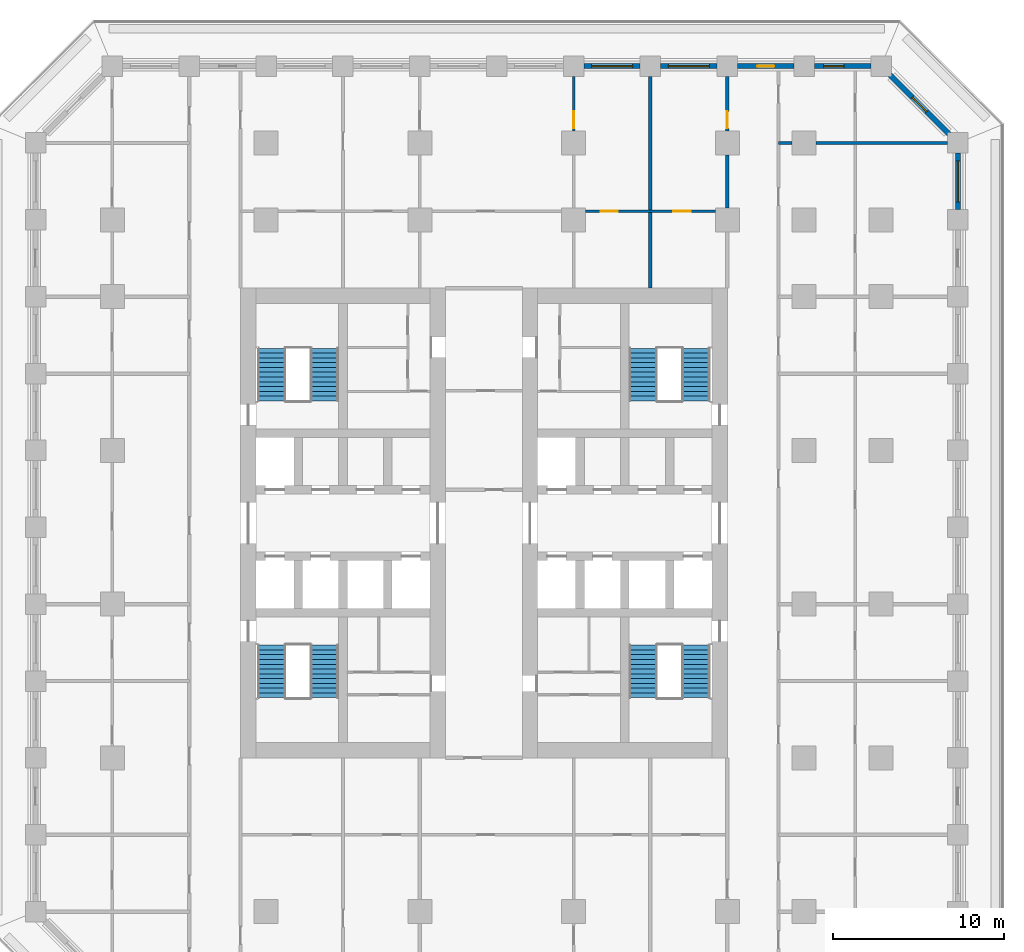
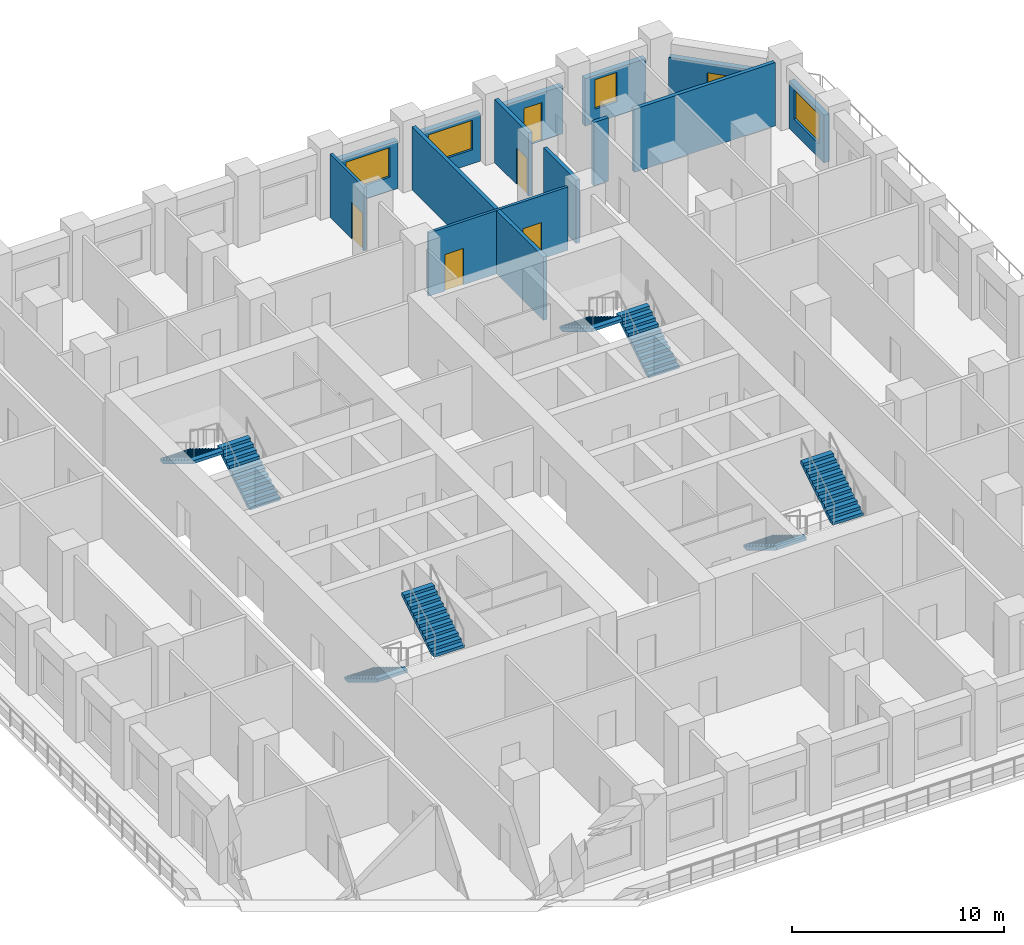
# One storey, part 9 of 18: 13 walls, 8 stair flights, 6 doors, 4 windows, 10 openings, 4 elements without a shape of their own.
"""IFC4 building model written with IfcOpenShell, lengths in metres."""

from ifc_helpers import new_model, si_unit, direction, frame, frame_2d, origin, place, context, subcontext, project, spatial, polyline, rectangle, outline, extrude, material, layer, layer_set, type_object, element, fill, aggregate, save


model = new_model("IFC4")

# Units and contexts
model_context = context("Model", 3, precision=1e-05, world=origin(), true_north=direction((0.0, 1.0)))
body_context = subcontext(model_context, "Body", "Model", "MODEL_VIEW")
ifc_project = project(units=[si_unit("LENGTHUNIT", "METRE"), si_unit("AREAUNIT", "SQUARE_METRE"), si_unit("VOLUMEUNIT", "CUBIC_METRE"), si_unit("PLANEANGLEUNIT", "RADIAN"), si_unit("MASSUNIT", "GRAM", prefix="KILO")], contexts=[model_context])

# Site, building, storey
site_placement = place(None, origin())
site = spatial("IfcSite", under=ifc_project, at=site_placement, CompositionType="ELEMENT")
building_placement = place(site_placement, origin())
building = spatial("IfcBuilding", under=site, at=building_placement, Name="Corbel Stack Research Tower", CompositionType="ELEMENT")
storey_placement = place(building_placement, frame((0.0, 0.0, 102.5)))
storey = spatial("IfcBuildingStorey", under=building, at=storey_placement, Name="L23", CompositionType="ELEMENT", Elevation=102.5)

# Wall, opening, door
ifc_material_1 = material(Name="Fire-rated gypsum board partition on steel studs", Category="steel")
ifc_layer_1 = layer(ifc_material_1, 0.14990234375)
ifc_layer_set_1 = layer_set([ifc_layer_1], Name="Fire-rated gypsum board partition on steel studs")
wall_type_1 = type_object("IfcWallType", Name="Fire-rated partition 150 EI 60", PredefinedType="PARTITIONING", material=ifc_layer_set_1)
wall_1_placement = place(storey_placement, frame((9.0, 30.89990234375, 0.0), z_axis=(0.0, 0.0, 1.0), x_axis=(0.0, -1.0, 0.0)))
wall_1 = element("IfcWall", 1, at=wall_1_placement, inside=storey, type_object=wall_type_1, Name="Partition L23-021", PredefinedType="PARTITIONING", context=body_context, shape_type="SweptSolid", body=[
    extrude(rectangle(XDim=3.199951171875, YDim=0.14990234375, at=frame_2d((1.60009765625, 0.0))), origin(), (0.0, 0.0, 1.0), 3.64990234375),
])
opening_1_placement = place(wall_1_placement, frame((2.050048828125, 0.0, 0.0)))
opening_1 = element("IfcOpeningElement", 2, at=opening_1_placement, cuts=wall_1, Name="Opening B3V2-030", PredefinedType="OPENING", context=body_context, shape_type="SweptSolid", body=[
    extrude(rectangle(XDim=1.0, YDim=2.10009765625, at=frame_2d((0.5, 1.050048828125))), frame((0.0, 0.0849609375, 0.0), z_axis=(0.0, -1.0, 0.0), x_axis=(1.0, 0.0, 0.0)), (0.0, 0.0, 1.0), 0.169921875),
])
ifc_material_2 = material(Name="Painted steel fire door", Category="steel")
door_type_1 = type_object("IfcDoorType", Name="Fire door FD30S 1000 x 2100", OperationType="NOTDEFINED", PredefinedType="DOOR", material=ifc_material_2)
door_1_placement = place(opening_1_placement, origin())
door_1 = element("IfcDoor", 3, at=door_1_placement, inside=storey, type_object=door_type_1, Name="Door B3V2-030", OperationType="SINGLE_SWING_RIGHT", OverallHeight=2.10009765625, OverallWidth=1.0, PredefinedType="DOOR", context=body_context, shape_type="SweptSolid", body=[
    extrude(rectangle(XDim=1.0, YDim=2.10009765625, at=frame_2d((0.5, 1.050048828125))), frame((0.0, 0.02490234375, 0.0), z_axis=(0.0, -1.0, 0.0), x_axis=(1.0, 0.0, 0.0)), (0.0, 0.0, 1.0), 0.050048828125),
])
fill(opening_1, door_1)

# Walls
ifc_material_3 = material(Name="Fire-rated gypsum board partition on steel studs", Category="steel")
ifc_layer_2 = layer(ifc_material_3, 0.199951171875)
ifc_layer_set_2 = layer_set([ifc_layer_2], Name="Fire-rated gypsum board partition on steel studs")
wall_type_2 = type_object("IfcWallType", Name="Fire-rated partition 200 EI 60", PredefinedType="PARTITIONING", material=ifc_layer_set_2)
wall_2_placement = place(storey_placement, frame((13.5, 18.5, 0.0), z_axis=(0.0, 0.0, 1.0), x_axis=(0.0, 1.0, 0.0)))
element("IfcWall", 4, at=wall_2_placement, inside=storey, type_object=wall_type_2, Name="Partition L23-023", PredefinedType="PARTITIONING", context=body_context, shape_type="SweptSolid", body=[
    extrude(rectangle(XDim=12.39990234375, YDim=0.199951171875, at=frame_2d((6.199951171875, 0.0))), origin(), (0.0, 0.0, 1.0), 3.64990234375),
])
wall_3_placement = place(storey_placement, frame((18.0, 23.199951171875, 0.0), z_axis=(0.0, 0.0, 1.0), x_axis=(0.0, 1.0, 0.0)))
element("IfcWall", 5, at=wall_3_placement, inside=storey, type_object=wall_type_2, Name="Partition L23-027", PredefinedType="PARTITIONING", context=body_context, shape_type="SweptSolid", body=[
    extrude(rectangle(XDim=3.10009765625, YDim=0.199951171875, at=frame_2d((1.550048828125, 0.0))), origin(), (0.0, 0.0, 1.0), 3.64990234375),
])

# Wall, opening, door
wall_4_placement = place(storey_placement, frame((18.0, 27.699951171875, 0.0), z_axis=(0.0, 0.0, 1.0), x_axis=(0.0, 1.0, 0.0)))
wall_4 = element("IfcWall", 6, at=wall_4_placement, inside=storey, type_object=wall_type_2, Name="Partition L23-028", PredefinedType="PARTITIONING", context=body_context, shape_type="SweptSolid", body=[
    extrude(rectangle(XDim=3.199951171875, YDim=0.199951171875, at=frame_2d((1.60009765625, 0.0))), origin(), (0.0, 0.0, 1.0), 3.64990234375),
])
opening_2_placement = place(wall_4_placement, frame((0.14990234375, 0.0, 0.0)))
opening_2 = element("IfcOpeningElement", 7, at=opening_2_placement, cuts=wall_4, Name="Opening B3V2-033", PredefinedType="OPENING", context=body_context, shape_type="SweptSolid", body=[
    extrude(rectangle(XDim=1.0, YDim=2.10009765625, at=frame_2d((0.5, 1.050048828125))), frame((0.0, 0.10986328125, 0.0), z_axis=(0.0, -1.0, 0.0), x_axis=(1.0, 0.0, 0.0)), (0.0, 0.0, 1.0), 0.219970703125),
])
door_2_placement = place(opening_2_placement, origin())
door_2 = element("IfcDoor", 8, at=door_2_placement, inside=storey, type_object=door_type_1, Name="Door B3V2-033", OperationType="SINGLE_SWING_LEFT", OverallHeight=2.10009765625, OverallWidth=1.0, PredefinedType="DOOR", context=body_context, shape_type="SweptSolid", body=[
    extrude(rectangle(XDim=1.0, YDim=2.10009765625, at=frame_2d((0.5, 1.050048828125))), frame((0.0, 0.02490234375, 0.0), z_axis=(0.0, -1.0, 0.0), x_axis=(1.0, 0.0, 0.0)), (0.0, 0.0, 1.0), 0.050048828125),
])
fill(opening_2, door_2)

# Walls
wall_5_placement = place(storey_placement, frame((21.0, 27.0, 0.0), z_axis=(0.0, 0.0, 1.0), x_axis=(1.0, 0.0, 0.0)))
element("IfcWall", 9, at=wall_5_placement, inside=storey, type_object=wall_type_2, Name="Partition L23-060", PredefinedType="PARTITIONING", context=body_context, shape_type="SweptSolid", body=[
    extrude(rectangle(XDim=0.800048828125, YDim=0.199951171875, at=frame_2d((0.39990234375, 0.0))), origin(), (0.0, 0.0, 1.0), 3.64990234375),
])
wall_6_placement = place(storey_placement, frame((23.199951171875, 27.0, 0.0), z_axis=(0.0, 0.0, 1.0), x_axis=(1.0, 0.0, 0.0)))
element("IfcWall", 10, at=wall_6_placement, inside=storey, type_object=wall_type_2, Name="Partition L23-061", PredefinedType="PARTITIONING", context=body_context, shape_type="SweptSolid", body=[
    extrude(rectangle(XDim=7.699951171875, YDim=0.199951171875, at=frame_2d((3.85009765625, 0.0))), origin(), (0.0, 0.0, 1.0), 3.64990234375),
])

# Wall, openings, doors
ifc_material_4 = material(Name="Gypsum board partition on steel studs", Category="steel")
ifc_layer_3 = layer(ifc_material_4, 0.14990234375)
ifc_layer_set_3 = layer_set([ifc_layer_3], Name="Gypsum board partition on steel studs")
wall_type_3 = type_object("IfcWallType", Name="Partition 150", PredefinedType="PARTITIONING", material=ifc_layer_set_3)
wall_7_placement = place(storey_placement, frame((17.300048828125, 23.0, 0.0), z_axis=(0.0, 0.0, 1.0), x_axis=(-1.0, 0.0, 0.0)))
wall_7 = element("IfcWall", 11, at=wall_7_placement, inside=storey, type_object=wall_type_3, Name="Partition L23-058", PredefinedType="PARTITIONING", context=body_context, shape_type="SweptSolid", body=[
    extrude(rectangle(XDim=7.60009765625, YDim=0.14990234375, at=frame_2d((3.800048828125, 0.0))), origin(), (0.0, 0.0, 1.0), 3.64990234375),
])
opening_3_placement = place(wall_7_placement, frame((5.699951171875, 0.0, 0.0)))
opening_3 = element("IfcOpeningElement", 12, at=opening_3_placement, cuts=wall_7, Name="Opening B3V2-045", PredefinedType="OPENING", context=body_context, shape_type="SweptSolid", body=[
    extrude(rectangle(XDim=1.0, YDim=2.10009765625, at=frame_2d((0.5, 1.050048828125))), frame((0.0, 0.0849609375, 0.0), z_axis=(0.0, -1.0, 0.0), x_axis=(1.0, 0.0, 0.0)), (0.0, 0.0, 1.0), 0.169921875),
])
opening_4_placement = place(wall_7_placement, frame((1.449951171875, 0.0, 0.0)))
opening_4 = element("IfcOpeningElement", 13, at=opening_4_placement, cuts=wall_7, Name="Opening B3V2-046", PredefinedType="OPENING", context=body_context, shape_type="SweptSolid", body=[
    extrude(rectangle(XDim=1.0, YDim=2.10009765625, at=frame_2d((0.5, 1.050048828125))), frame((0.0, 0.0849609375, 0.0), z_axis=(0.0, -1.0, 0.0), x_axis=(1.0, 0.0, 0.0)), (0.0, 0.0, 1.0), 0.169921875),
])
ifc_material_5 = material(Name="Painted timber door", Category="wood")
door_type_2 = type_object("IfcDoorType", Name="Single door 1000 x 2100", OperationType="NOTDEFINED", PredefinedType="DOOR", material=ifc_material_5)
door_3_placement = place(opening_3_placement, origin())
door_3 = element("IfcDoor", 14, at=door_3_placement, inside=storey, type_object=door_type_2, Name="Door B3V2-045", OperationType="SINGLE_SWING_RIGHT", OverallHeight=2.10009765625, OverallWidth=1.0, PredefinedType="DOOR", context=body_context, shape_type="SweptSolid", body=[
    extrude(rectangle(XDim=1.0, YDim=2.10009765625, at=frame_2d((0.5, 1.050048828125))), frame((0.0, 0.02490234375, 0.0), z_axis=(0.0, -1.0, 0.0), x_axis=(1.0, 0.0, 0.0)), (0.0, 0.0, 1.0), 0.050048828125),
])
fill(opening_3, door_3)
door_4_placement = place(opening_4_placement, origin())
door_4 = element("IfcDoor", 15, at=door_4_placement, inside=storey, type_object=door_type_2, Name="Door B3V2-046", OperationType="SINGLE_SWING_LEFT", OverallHeight=2.10009765625, OverallWidth=1.0, PredefinedType="DOOR", context=body_context, shape_type="SweptSolid", body=[
    extrude(rectangle(XDim=1.0, YDim=2.10009765625, at=frame_2d((0.5, 1.050048828125))), frame((0.0, 0.02490234375, 0.0), z_axis=(0.0, -1.0, 0.0), x_axis=(1.0, 0.0, 0.0)), (0.0, 0.0, 1.0), 0.050048828125),
])
fill(opening_4, door_4)

# Wall, opening, window
ifc_material_6 = material(Name="Concrete C45/55", Category="concrete")
ifc_layer_4 = layer(ifc_material_6, 0.300048828125)
ifc_layer_set_4 = layer_set([ifc_layer_4], Name="Concrete C45/55")
wall_type_4 = type_object("IfcWallType", Name="Terracotta-faced concrete wall 300", PredefinedType="SOLIDWALL", material=ifc_layer_set_4)
wall_8_placement = place(storey_placement, frame((31.5, 26.39990234375, 0.0), z_axis=(0.0, 0.0, 1.0), x_axis=(0.0, -1.0, 0.0)))
wall_8 = element("IfcWall", 16, at=wall_8_placement, inside=storey, type_object=wall_type_4, Name="Facade wall L23 E10", PredefinedType="SOLIDWALL", context=body_context, shape_type="SweptSolid", body=[
    extrude(rectangle(XDim=3.2998046875, YDim=0.300048828125, at=frame_2d((1.64990234375, 0.0))), origin(), (0.0, 0.0, 1.0), 2.75),
])
opening_5_placement = place(wall_8_placement, frame((0.449951171875, 0.0, 0.800048828125)))
opening_5 = element("IfcOpeningElement", 17, at=opening_5_placement, cuts=wall_8, Name="Opening W1", PredefinedType="OPENING", context=body_context, shape_type="SweptSolid", body=[
    extrude(rectangle(XDim=2.39990234375, YDim=1.699951171875, at=frame_2d((1.199951171875, 0.85009765625))), frame((0.0, 0.159912109375, 0.0), z_axis=(0.0, -1.0, 0.0), x_axis=(1.0, 0.0, 0.0)), (0.0, 0.0, 1.0), 0.320068359375),
])
ifc_material_7 = material(Name="Aluminium frame, clear double glazing", Category="aluminium")
window_type_1 = type_object("IfcWindowType", Name="Window W1 2400 x 1700", PartitioningType="SINGLE_PANEL", PredefinedType="WINDOW", material=ifc_material_7)
window_1_placement = place(opening_5_placement, origin())
window_1 = element("IfcWindow", 18, at=window_1_placement, inside=storey, type_object=window_type_1, Name="Window W1 L23 E10", OverallHeight=1.699951171875, OverallWidth=2.39990234375, PartitioningType="SINGLE_PANEL", PredefinedType="WINDOW", context=body_context, shape_type="SweptSolid", body=[
    extrude(rectangle(XDim=2.39990234375, YDim=1.699951171875, at=frame_2d((1.199951171875, 0.85009765625))), frame((0.0, 0.030029296875, 0.0), z_axis=(0.0, -1.0, 0.0), x_axis=(1.0, 0.0, 0.0)), (0.0, 0.0, 1.0), 0.06005859375),
])
fill(opening_5, window_1)

# Wall, opening, door
wall_9_placement = place(storey_placement, frame((27.493896484375, 31.006103515625, 0.0), z_axis=(0.0, 0.0, 1.0), x_axis=(0.707106781187, -0.707106781187, 0.0)))
wall_9 = element("IfcWall", 19, at=wall_9_placement, inside=storey, type_object=wall_type_4, Name="Facade wall L23 NE01", PredefinedType="SOLIDWALL", context=body_context, shape_type="SweptSolid", body=[
    extrude(rectangle(XDim=4.967041015625, YDim=0.300048828125, at=frame_2d((2.4833984375, 0.0))), origin(), (0.0, 0.0, 1.0), 2.75),
])
opening_6_placement = place(wall_9_placement, frame((1.883544921875, 0.0, 0.0)))
opening_6 = element("IfcOpeningElement", 20, at=opening_6_placement, cuts=wall_9, Name="Opening L23-B06", PredefinedType="OPENING", context=body_context, shape_type="SweptSolid", body=[
    extrude(rectangle(XDim=1.199951171875, YDim=2.199951171875, at=frame_2d((0.60009765625, 1.10009765625))), frame((0.0, 0.159912109375, 0.0), z_axis=(0.0, -1.0, 0.0), x_axis=(1.0, 0.0, 0.0)), (0.0, 0.0, 1.0), 0.320068359375),
])
ifc_material_8 = material(Name="Aluminium frame, clear double glazing", Category="aluminium")
door_type_3 = type_object("IfcDoorType", Name="Balcony door BD2 1200 x 2200", OperationType="NOTDEFINED", PredefinedType="DOOR", material=ifc_material_8)
door_5_placement = place(opening_6_placement, origin())
door_5 = element("IfcDoor", 21, at=door_5_placement, inside=storey, type_object=door_type_3, Name="Balcony door L23-B06", OperationType="SINGLE_SWING_RIGHT", OverallHeight=2.199951171875, OverallWidth=1.199951171875, PredefinedType="DOOR", context=body_context, shape_type="SweptSolid", body=[
    extrude(rectangle(XDim=1.199951171875, YDim=2.199951171875, at=frame_2d((0.60009765625, 1.10009765625))), frame((0.0, 0.02490234375, 0.0), z_axis=(0.0, -1.0, 0.0), x_axis=(1.0, 0.0, 0.0)), (0.0, 0.0, 1.0), 0.050048828125),
])
fill(opening_6, door_5)

# Wall, opening, window
wall_10_placement = place(storey_placement, frame((23.10009765625, 31.5, 0.0), z_axis=(0.0, 0.0, 1.0), x_axis=(1.0, 0.0, 0.0)))
wall_10 = element("IfcWall", 22, at=wall_10_placement, inside=storey, type_object=wall_type_4, Name="Facade wall L23 N01", PredefinedType="SOLIDWALL", context=body_context, shape_type="SweptSolid", body=[
    extrude(rectangle(XDim=3.2998046875, YDim=0.300048828125, at=frame_2d((1.64990234375, 0.0))), origin(), (0.0, 0.0, 1.0), 2.75),
])
opening_7_placement = place(wall_10_placement, frame((0.53759765625, 0.0, 0.800048828125)))
opening_7 = element("IfcOpeningElement", 23, at=opening_7_placement, cuts=wall_10, Name="Opening W2", PredefinedType="OPENING", context=body_context, shape_type="SweptSolid", body=[
    extrude(rectangle(XDim=1.199951171875, YDim=1.699951171875, at=frame_2d((0.60009765625, 0.85009765625))), frame((0.0, 0.159912109375, 0.0), z_axis=(0.0, -1.0, 0.0), x_axis=(1.0, 0.0, 0.0)), (0.0, 0.0, 1.0), 0.320068359375),
])
ifc_material_9 = material(Name="Aluminium frame, clear double glazing", Category="aluminium")
window_type_2 = type_object("IfcWindowType", Name="Window W2 1200 x 1700", PartitioningType="SINGLE_PANEL", PredefinedType="WINDOW", material=ifc_material_9)
window_2_placement = place(opening_7_placement, origin())
window_2 = element("IfcWindow", 24, at=window_2_placement, inside=storey, type_object=window_type_2, Name="Window W2 L23 N01", OverallHeight=1.699951171875, OverallWidth=1.199951171875, PartitioningType="SINGLE_PANEL", PredefinedType="WINDOW", context=body_context, shape_type="SweptSolid", body=[
    extrude(rectangle(XDim=1.199951171875, YDim=1.699951171875, at=frame_2d((0.60009765625, 0.85009765625))), frame((0.0, 0.030029296875, 0.0), z_axis=(0.0, -1.0, 0.0), x_axis=(1.0, 0.0, 0.0)), (0.0, 0.0, 1.0), 0.06005859375),
])
fill(opening_7, window_2)

# Wall, opening, door
wall_11_placement = place(storey_placement, frame((18.60009765625, 31.5, 0.0), z_axis=(0.0, 0.0, 1.0), x_axis=(1.0, 0.0, 0.0)))
wall_11 = element("IfcWall", 25, at=wall_11_placement, inside=storey, type_object=wall_type_4, Name="Facade wall L23 N02", PredefinedType="SOLIDWALL", context=body_context, shape_type="SweptSolid", body=[
    extrude(rectangle(XDim=3.2998046875, YDim=0.300048828125, at=frame_2d((1.64990234375, 0.0))), origin(), (0.0, 0.0, 1.0), 2.75),
])
opening_8_placement = place(wall_11_placement, frame((1.14990234375, 0.0, 0.0)))
opening_8 = element("IfcOpeningElement", 26, at=opening_8_placement, cuts=wall_11, Name="Opening L23-B07", PredefinedType="OPENING", context=body_context, shape_type="SweptSolid", body=[
    extrude(rectangle(XDim=1.0, YDim=2.199951171875, at=frame_2d((0.5, 1.10009765625))), frame((0.0, 0.159912109375, 0.0), z_axis=(0.0, -1.0, 0.0), x_axis=(1.0, 0.0, 0.0)), (0.0, 0.0, 1.0), 0.320068359375),
])
ifc_material_10 = material(Name="Aluminium frame, clear double glazing", Category="aluminium")
door_type_4 = type_object("IfcDoorType", Name="Balcony door BD1 1000 x 2200", OperationType="NOTDEFINED", PredefinedType="DOOR", material=ifc_material_10)
door_6_placement = place(opening_8_placement, origin())
door_6 = element("IfcDoor", 27, at=door_6_placement, inside=storey, type_object=door_type_4, Name="Balcony door L23-B07", OperationType="SINGLE_SWING_LEFT", OverallHeight=2.199951171875, OverallWidth=1.0, PredefinedType="DOOR", context=body_context, shape_type="SweptSolid", body=[
    extrude(rectangle(XDim=1.0, YDim=2.199951171875, at=frame_2d((0.5, 1.10009765625))), frame((0.0, 0.02490234375, 0.0), z_axis=(0.0, -1.0, 0.0), x_axis=(1.0, 0.0, 0.0)), (0.0, 0.0, 1.0), 0.050048828125),
])
fill(opening_8, door_6)

# Wall, opening, window
wall_12_placement = place(storey_placement, frame((14.10009765625, 31.5, 0.0), z_axis=(0.0, 0.0, 1.0), x_axis=(1.0, 0.0, 0.0)))
wall_12 = element("IfcWall", 28, at=wall_12_placement, inside=storey, type_object=wall_type_4, Name="Facade wall L23 N03", PredefinedType="SOLIDWALL", context=body_context, shape_type="SweptSolid", body=[
    extrude(rectangle(XDim=3.2998046875, YDim=0.300048828125, at=frame_2d((1.64990234375, 0.0))), origin(), (0.0, 0.0, 1.0), 2.75),
])
opening_9_placement = place(wall_12_placement, frame((0.449951171875, 0.0, 0.800048828125)))
opening_9 = element("IfcOpeningElement", 29, at=opening_9_placement, cuts=wall_12, Name="Opening W1", PredefinedType="OPENING", context=body_context, shape_type="SweptSolid", body=[
    extrude(rectangle(XDim=2.39990234375, YDim=1.699951171875, at=frame_2d((1.199951171875, 0.85009765625))), frame((0.0, 0.159912109375, 0.0), z_axis=(0.0, -1.0, 0.0), x_axis=(1.0, 0.0, 0.0)), (0.0, 0.0, 1.0), 0.320068359375),
])
window_3_placement = place(opening_9_placement, origin())
window_3 = element("IfcWindow", 30, at=window_3_placement, inside=storey, type_object=window_type_1, Name="Window W1 L23 N03", OverallHeight=1.699951171875, OverallWidth=2.39990234375, PartitioningType="SINGLE_PANEL", PredefinedType="WINDOW", context=body_context, shape_type="SweptSolid", body=[
    extrude(rectangle(XDim=2.39990234375, YDim=1.699951171875, at=frame_2d((1.199951171875, 0.85009765625))), frame((0.0, 0.030029296875, 0.0), z_axis=(0.0, -1.0, 0.0), x_axis=(1.0, 0.0, 0.0)), (0.0, 0.0, 1.0), 0.06005859375),
])
fill(opening_9, window_3)

wall_13_placement = place(storey_placement, frame((9.60009765625, 31.5, 0.0), z_axis=(0.0, 0.0, 1.0), x_axis=(1.0, 0.0, 0.0)))
wall_13 = element("IfcWall", 31, at=wall_13_placement, inside=storey, type_object=wall_type_4, Name="Facade wall L23 N04", PredefinedType="SOLIDWALL", context=body_context, shape_type="SweptSolid", body=[
    extrude(rectangle(XDim=3.2998046875, YDim=0.300048828125, at=frame_2d((1.64990234375, 0.0))), origin(), (0.0, 0.0, 1.0), 2.75),
])
opening_10_placement = place(wall_13_placement, frame((0.449951171875, 0.0, 0.800048828125)))
opening_10 = element("IfcOpeningElement", 32, at=opening_10_placement, cuts=wall_13, Name="Opening W1", PredefinedType="OPENING", context=body_context, shape_type="SweptSolid", body=[
    extrude(rectangle(XDim=2.39990234375, YDim=1.699951171875, at=frame_2d((1.199951171875, 0.85009765625))), frame((0.0, 0.159912109375, 0.0), z_axis=(0.0, -1.0, 0.0), x_axis=(1.0, 0.0, 0.0)), (0.0, 0.0, 1.0), 0.320068359375),
])
window_4_placement = place(opening_10_placement, origin())
window_4 = element("IfcWindow", 33, at=window_4_placement, inside=storey, type_object=window_type_1, Name="Window W1 L23 N04", OverallHeight=1.699951171875, OverallWidth=2.39990234375, PartitioningType="SINGLE_PANEL", PredefinedType="WINDOW", context=body_context, shape_type="SweptSolid", body=[
    extrude(rectangle(XDim=2.39990234375, YDim=1.699951171875, at=frame_2d((1.199951171875, 0.85009765625))), frame((0.0, 0.030029296875, 0.0), z_axis=(0.0, -1.0, 0.0), x_axis=(1.0, 0.0, 0.0)), (0.0, 0.0, 1.0), 0.06005859375),
])
fill(opening_10, window_4)

# Stair, stair flights
ifc_material_11 = material(Name="Concrete C40/50", Category="concrete")
stair_type = type_object("IfcStairType", Name="Exit stair 24 risers", PredefinedType="HALF_TURN_STAIR", material=ifc_material_11)
stair_1_placement = place(storey_placement, origin())
stair_1 = element("IfcStair", 34, at=stair_1_placement, inside=storey, type_object=stair_type, Name="L23 Exit stair ST-W1", PredefinedType="HALF_TURN_STAIR")
ifc_material_12 = material(Name="Concrete C40/50", Category="concrete")
stair_flight_type = type_object("IfcStairFlightType", Name="Stair flight 12 risers", PredefinedType="STRAIGHT", material=ifc_material_12)
stair_flight_1_placement = place(storey_placement, frame((-8.675048828125, -2.39990234375, 0.0), z_axis=(0.0, 0.0, 1.0), x_axis=(0.0, -1.0, 0.0)))
stair_flight_1 = element("IfcStairFlight", 35, at=stair_flight_1_placement, type_object=stair_flight_type, Name="ST-W1 flight 1", NumberOfRisers=12, NumberOfTreads=11, PredefinedType="STRAIGHT", RiserHeight=0.170833333, TreadLength=0.28, context=body_context, shape_type="SweptSolid", body=[
    extrude(outline(polyline([(0.0, 0.0), (0.0, 0.1708984375), (0.280029296875, 0.1708984375), (0.280029296875, 0.341552734375), (0.56005859375, 0.341552734375), (0.56005859375, 0.512451171875), (0.840087890625, 0.512451171875), (0.840087890625, 0.683349609375), (1.1201171875, 0.683349609375), (1.1201171875, 0.854248046875), (1.39990234375, 0.854248046875), (1.39990234375, 1.02490234375), (1.679931640625, 1.02490234375), (1.679931640625, 1.19580078125), (1.9599609375, 1.19580078125), (1.9599609375, 1.36669921875), (2.239990234375, 1.36669921875), (2.239990234375, 1.53759765625), (2.52001953125, 1.53759765625), (2.52001953125, 1.708251953125), (2.800048828125, 1.708251953125), (2.800048828125, 1.879150390625), (3.080078125, 1.879150390625), (3.080078125, 2.050048828125), (3.080078125, 1.70361328125), (0.287841796875, 0.0), (0.0, 0.0)])), frame((0.0, 0.824951171875, 0.0), z_axis=(0.0, -1.0, 0.0), x_axis=(1.0, 0.0, 0.0)), (0.0, 0.0, 1.0), 1.64990234375),
])
stair_flight_2_placement = place(storey_placement, frame((-5.574951171875, -5.47998046875, 2.050048828125), z_axis=(0.0, 0.0, 1.0), x_axis=(0.0, 1.0, 0.0)))
stair_flight_2 = element("IfcStairFlight", 36, at=stair_flight_2_placement, type_object=stair_flight_type, Name="ST-W1 flight 2", NumberOfRisers=12, NumberOfTreads=11, PredefinedType="STRAIGHT", RiserHeight=0.170833333, TreadLength=0.28, context=body_context, shape_type="SweptSolid", body=[
    extrude(outline(polyline([(0.0, 0.0), (0.0, 0.1708984375), (0.280029296875, 0.1708984375), (0.280029296875, 0.341552734375), (0.56005859375, 0.341552734375), (0.56005859375, 0.512451171875), (0.840087890625, 0.512451171875), (0.840087890625, 0.683349609375), (1.1201171875, 0.683349609375), (1.1201171875, 0.854248046875), (1.39990234375, 0.854248046875), (1.39990234375, 1.02490234375), (1.679931640625, 1.02490234375), (1.679931640625, 1.19580078125), (1.9599609375, 1.19580078125), (1.9599609375, 1.36669921875), (2.239990234375, 1.36669921875), (2.239990234375, 1.53759765625), (2.52001953125, 1.53759765625), (2.52001953125, 1.708251953125), (2.800048828125, 1.708251953125), (2.800048828125, 1.879150390625), (3.080078125, 1.879150390625), (3.080078125, 2.050048828125), (3.080078125, 1.70361328125), (0.287841796875, 0.0), (0.0, 0.0)])), frame((0.0, 0.824951171875, 0.0), z_axis=(0.0, -1.0, 0.0), x_axis=(1.0, 0.0, 0.0)), (0.0, 0.0, 1.0), 1.64990234375),
])
aggregate(stair_1, [stair_flight_1, stair_flight_2])

stair_2_placement = place(storey_placement, origin())
stair_2 = element("IfcStair", 37, at=stair_2_placement, inside=storey, type_object=stair_type, Name="L23 Exit stair ST-W2", PredefinedType="HALF_TURN_STAIR")
stair_flight_3_placement = place(storey_placement, frame((-5.574951171875, 11.89990234375, 0.0), z_axis=(0.0, 0.0, 1.0), x_axis=(0.0, 1.0, 0.0)))
stair_flight_3 = element("IfcStairFlight", 38, at=stair_flight_3_placement, type_object=stair_flight_type, Name="ST-W2 flight 1", NumberOfRisers=12, NumberOfTreads=11, PredefinedType="STRAIGHT", RiserHeight=0.170833333, TreadLength=0.28, context=body_context, shape_type="SweptSolid", body=[
    extrude(outline(polyline([(0.0, 0.0), (0.0, 0.1708984375), (0.280029296875, 0.1708984375), (0.280029296875, 0.341552734375), (0.56005859375, 0.341552734375), (0.56005859375, 0.512451171875), (0.840087890625, 0.512451171875), (0.840087890625, 0.683349609375), (1.1201171875, 0.683349609375), (1.1201171875, 0.854248046875), (1.39990234375, 0.854248046875), (1.39990234375, 1.02490234375), (1.679931640625, 1.02490234375), (1.679931640625, 1.19580078125), (1.9599609375, 1.19580078125), (1.9599609375, 1.36669921875), (2.239990234375, 1.36669921875), (2.239990234375, 1.53759765625), (2.52001953125, 1.53759765625), (2.52001953125, 1.708251953125), (2.800048828125, 1.708251953125), (2.800048828125, 1.879150390625), (3.080078125, 1.879150390625), (3.080078125, 2.050048828125), (3.080078125, 1.70361328125), (0.287841796875, 0.0), (0.0, 0.0)])), frame((0.0, 0.824951171875, 0.0), z_axis=(0.0, -1.0, 0.0), x_axis=(1.0, 0.0, 0.0)), (0.0, 0.0, 1.0), 1.64990234375),
])
stair_flight_4_placement = place(storey_placement, frame((-8.675048828125, 14.97998046875, 2.050048828125), z_axis=(0.0, 0.0, 1.0), x_axis=(0.0, -1.0, 0.0)))
stair_flight_4 = element("IfcStairFlight", 39, at=stair_flight_4_placement, type_object=stair_flight_type, Name="ST-W2 flight 2", NumberOfRisers=12, NumberOfTreads=11, PredefinedType="STRAIGHT", RiserHeight=0.170833333, TreadLength=0.28, context=body_context, shape_type="SweptSolid", body=[
    extrude(outline(polyline([(0.0, 0.0), (0.0, 0.1708984375), (0.280029296875, 0.1708984375), (0.280029296875, 0.341552734375), (0.56005859375, 0.341552734375), (0.56005859375, 0.512451171875), (0.840087890625, 0.512451171875), (0.840087890625, 0.683349609375), (1.1201171875, 0.683349609375), (1.1201171875, 0.854248046875), (1.39990234375, 0.854248046875), (1.39990234375, 1.02490234375), (1.679931640625, 1.02490234375), (1.679931640625, 1.19580078125), (1.9599609375, 1.19580078125), (1.9599609375, 1.36669921875), (2.239990234375, 1.36669921875), (2.239990234375, 1.53759765625), (2.52001953125, 1.53759765625), (2.52001953125, 1.708251953125), (2.800048828125, 1.708251953125), (2.800048828125, 1.879150390625), (3.080078125, 1.879150390625), (3.080078125, 2.050048828125), (3.080078125, 1.70361328125), (0.287841796875, 0.0), (0.0, 0.0)])), frame((0.0, 0.824951171875, 0.0), z_axis=(0.0, -1.0, 0.0), x_axis=(1.0, 0.0, 0.0)), (0.0, 0.0, 1.0), 1.64990234375),
])
aggregate(stair_2, [stair_flight_3, stair_flight_4])

stair_3_placement = place(storey_placement, origin())
stair_3 = element("IfcStair", 40, at=stair_3_placement, inside=storey, type_object=stair_type, Name="L23 Exit stair ST-E1", PredefinedType="HALF_TURN_STAIR")
stair_flight_5_placement = place(storey_placement, frame((13.074951171875, -2.39990234375, 0.0), z_axis=(0.0, 0.0, 1.0), x_axis=(0.0, -1.0, 0.0)))
stair_flight_5 = element("IfcStairFlight", 41, at=stair_flight_5_placement, type_object=stair_flight_type, Name="ST-E1 flight 1", NumberOfRisers=12, NumberOfTreads=11, PredefinedType="STRAIGHT", RiserHeight=0.170833333, TreadLength=0.28, context=body_context, shape_type="SweptSolid", body=[
    extrude(outline(polyline([(0.0, 0.0), (0.0, 0.1708984375), (0.280029296875, 0.1708984375), (0.280029296875, 0.341552734375), (0.56005859375, 0.341552734375), (0.56005859375, 0.512451171875), (0.840087890625, 0.512451171875), (0.840087890625, 0.683349609375), (1.1201171875, 0.683349609375), (1.1201171875, 0.854248046875), (1.39990234375, 0.854248046875), (1.39990234375, 1.02490234375), (1.679931640625, 1.02490234375), (1.679931640625, 1.19580078125), (1.9599609375, 1.19580078125), (1.9599609375, 1.36669921875), (2.239990234375, 1.36669921875), (2.239990234375, 1.53759765625), (2.52001953125, 1.53759765625), (2.52001953125, 1.708251953125), (2.800048828125, 1.708251953125), (2.800048828125, 1.879150390625), (3.080078125, 1.879150390625), (3.080078125, 2.050048828125), (3.080078125, 1.70361328125), (0.287841796875, 0.0), (0.0, 0.0)])), frame((0.0, 0.824951171875, 0.0), z_axis=(0.0, -1.0, 0.0), x_axis=(1.0, 0.0, 0.0)), (0.0, 0.0, 1.0), 1.64990234375),
])
stair_flight_6_placement = place(storey_placement, frame((16.175048828125, -5.47998046875, 2.050048828125), z_axis=(0.0, 0.0, 1.0), x_axis=(0.0, 1.0, 0.0)))
stair_flight_6 = element("IfcStairFlight", 42, at=stair_flight_6_placement, type_object=stair_flight_type, Name="ST-E1 flight 2", NumberOfRisers=12, NumberOfTreads=11, PredefinedType="STRAIGHT", RiserHeight=0.170833333, TreadLength=0.28, context=body_context, shape_type="SweptSolid", body=[
    extrude(outline(polyline([(0.0, 0.0), (0.0, 0.1708984375), (0.280029296875, 0.1708984375), (0.280029296875, 0.341552734375), (0.56005859375, 0.341552734375), (0.56005859375, 0.512451171875), (0.840087890625, 0.512451171875), (0.840087890625, 0.683349609375), (1.1201171875, 0.683349609375), (1.1201171875, 0.854248046875), (1.39990234375, 0.854248046875), (1.39990234375, 1.02490234375), (1.679931640625, 1.02490234375), (1.679931640625, 1.19580078125), (1.9599609375, 1.19580078125), (1.9599609375, 1.36669921875), (2.239990234375, 1.36669921875), (2.239990234375, 1.53759765625), (2.52001953125, 1.53759765625), (2.52001953125, 1.708251953125), (2.800048828125, 1.708251953125), (2.800048828125, 1.879150390625), (3.080078125, 1.879150390625), (3.080078125, 2.050048828125), (3.080078125, 1.70361328125), (0.287841796875, 0.0), (0.0, 0.0)])), frame((0.0, 0.824951171875, 0.0), z_axis=(0.0, -1.0, 0.0), x_axis=(1.0, 0.0, 0.0)), (0.0, 0.0, 1.0), 1.64990234375),
])
aggregate(stair_3, [stair_flight_5, stair_flight_6])

stair_4_placement = place(storey_placement, origin())
stair_4 = element("IfcStair", 43, at=stair_4_placement, inside=storey, type_object=stair_type, Name="L23 Exit stair ST-E2", PredefinedType="HALF_TURN_STAIR")
stair_flight_7_placement = place(storey_placement, frame((16.175048828125, 11.89990234375, 0.0), z_axis=(0.0, 0.0, 1.0), x_axis=(0.0, 1.0, 0.0)))
stair_flight_7 = element("IfcStairFlight", 44, at=stair_flight_7_placement, type_object=stair_flight_type, Name="ST-E2 flight 1", NumberOfRisers=12, NumberOfTreads=11, PredefinedType="STRAIGHT", RiserHeight=0.170833333, TreadLength=0.28, context=body_context, shape_type="SweptSolid", body=[
    extrude(outline(polyline([(0.0, 0.0), (0.0, 0.1708984375), (0.280029296875, 0.1708984375), (0.280029296875, 0.341552734375), (0.56005859375, 0.341552734375), (0.56005859375, 0.512451171875), (0.840087890625, 0.512451171875), (0.840087890625, 0.683349609375), (1.1201171875, 0.683349609375), (1.1201171875, 0.854248046875), (1.39990234375, 0.854248046875), (1.39990234375, 1.02490234375), (1.679931640625, 1.02490234375), (1.679931640625, 1.19580078125), (1.9599609375, 1.19580078125), (1.9599609375, 1.36669921875), (2.239990234375, 1.36669921875), (2.239990234375, 1.53759765625), (2.52001953125, 1.53759765625), (2.52001953125, 1.708251953125), (2.800048828125, 1.708251953125), (2.800048828125, 1.879150390625), (3.080078125, 1.879150390625), (3.080078125, 2.050048828125), (3.080078125, 1.70361328125), (0.287841796875, 0.0), (0.0, 0.0)])), frame((0.0, 0.824951171875, 0.0), z_axis=(0.0, -1.0, 0.0), x_axis=(1.0, 0.0, 0.0)), (0.0, 0.0, 1.0), 1.64990234375),
])
stair_flight_8_placement = place(storey_placement, frame((13.074951171875, 14.97998046875, 2.050048828125), z_axis=(0.0, 0.0, 1.0), x_axis=(0.0, -1.0, 0.0)))
stair_flight_8 = element("IfcStairFlight", 45, at=stair_flight_8_placement, type_object=stair_flight_type, Name="ST-E2 flight 2", NumberOfRisers=12, NumberOfTreads=11, PredefinedType="STRAIGHT", RiserHeight=0.170833333, TreadLength=0.28, context=body_context, shape_type="SweptSolid", body=[
    extrude(outline(polyline([(0.0, 0.0), (0.0, 0.1708984375), (0.280029296875, 0.1708984375), (0.280029296875, 0.341552734375), (0.56005859375, 0.341552734375), (0.56005859375, 0.512451171875), (0.840087890625, 0.512451171875), (0.840087890625, 0.683349609375), (1.1201171875, 0.683349609375), (1.1201171875, 0.854248046875), (1.39990234375, 0.854248046875), (1.39990234375, 1.02490234375), (1.679931640625, 1.02490234375), (1.679931640625, 1.19580078125), (1.9599609375, 1.19580078125), (1.9599609375, 1.36669921875), (2.239990234375, 1.36669921875), (2.239990234375, 1.53759765625), (2.52001953125, 1.53759765625), (2.52001953125, 1.708251953125), (2.800048828125, 1.708251953125), (2.800048828125, 1.879150390625), (3.080078125, 1.879150390625), (3.080078125, 2.050048828125), (3.080078125, 1.70361328125), (0.287841796875, 0.0), (0.0, 0.0)])), frame((0.0, 0.824951171875, 0.0), z_axis=(0.0, -1.0, 0.0), x_axis=(1.0, 0.0, 0.0)), (0.0, 0.0, 1.0), 1.64990234375),
])
aggregate(stair_4, [stair_flight_7, stair_flight_8])

save(model, "model.ifc")
